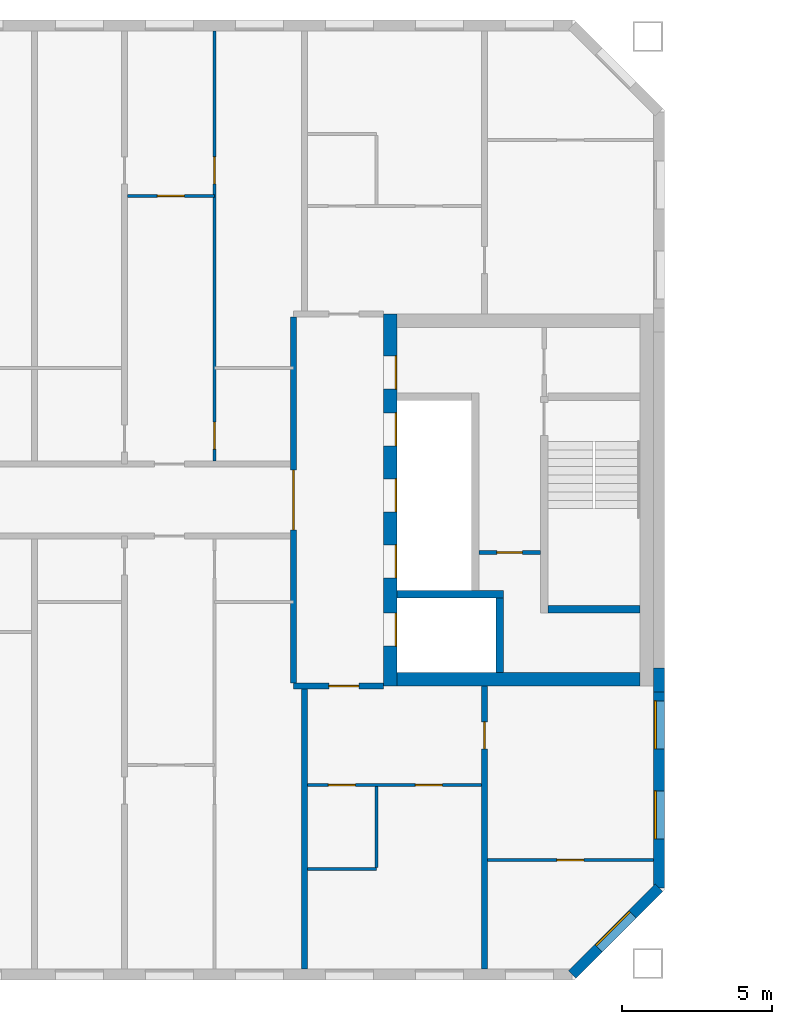
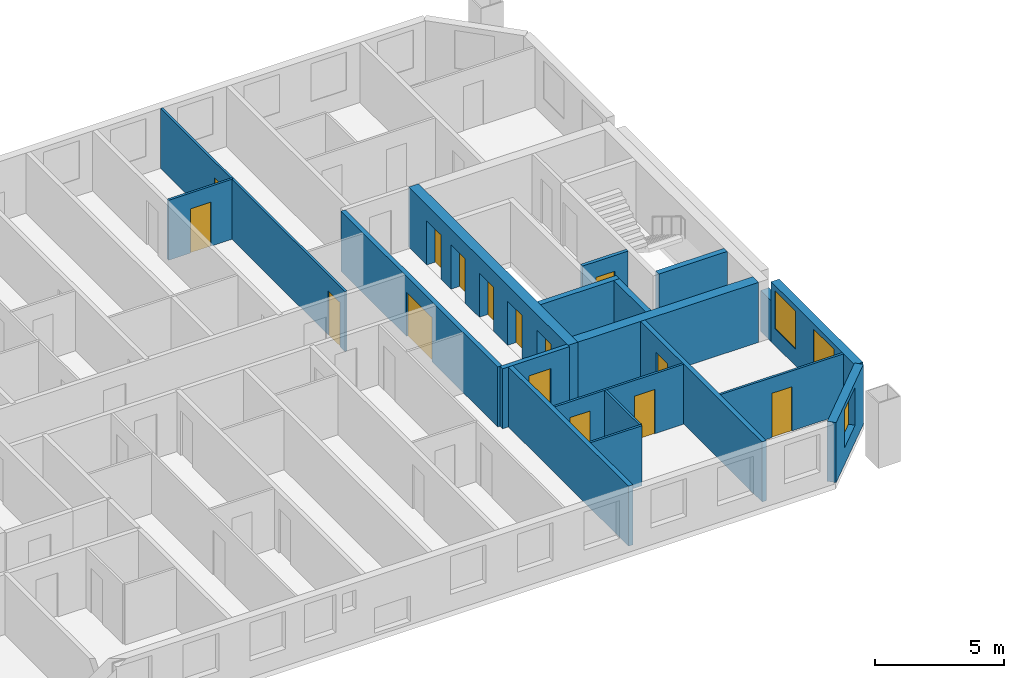
# One storey, part 6 of 15: 19 walls, 15 doors, 3 windows, 18 openings.
"""IFC4 building model written with IfcOpenShell, lengths in metres."""

from ifc_helpers import new_model, si_unit, direction, frame, frame_2d, origin, place, context, subcontext, project, spatial, rectangle, extrude, material, layer, layer_set, type_object, element, fill, save


model = new_model("IFC4")

# Units and contexts
model_context = context("Model", 3, precision=1e-05, world=origin(), true_north=direction((0.0, 1.0)))
body_context = subcontext(model_context, "Body", "Model", "MODEL_VIEW")
ifc_project = project(units=[si_unit("LENGTHUNIT", "METRE"), si_unit("AREAUNIT", "SQUARE_METRE"), si_unit("VOLUMEUNIT", "CUBIC_METRE"), si_unit("PLANEANGLEUNIT", "RADIAN"), si_unit("MASSUNIT", "GRAM", prefix="KILO")], contexts=[model_context])

# Site, building, storey
site_placement = place(None, origin())
site = spatial("IfcSite", under=ifc_project, at=site_placement, CompositionType="ELEMENT")
building_placement = place(site_placement, origin())
building = spatial("IfcBuilding", under=site, at=building_placement, Name="Tuart Gate Housing", CompositionType="ELEMENT")
storey_placement = place(building_placement, frame((0.0, 0.0, 191.300048828125)))
storey = spatial("IfcBuildingStorey", under=building, at=storey_placement, Name="L54", CompositionType="ELEMENT", Elevation=191.300048828125)

# Wall, opening, window
ifc_material_1 = material(Name="Brick", Category="masonry")
ifc_layer_1 = layer(ifc_material_1, 0.360107421875)
ifc_layer_set_1 = layer_set([ifc_layer_1], Name="Brick pier and spandrel wall 360")
wall_type_1 = type_object("IfcWallType", Name="Brick pier and spandrel wall 360", PredefinedType="STANDARD", material=ifc_layer_set_1)
wall_1_placement = place(storey_placement, frame((72.92529296875, 54.179931640625, 0.0), z_axis=(0.0, 0.0, 1.0), x_axis=(0.707106781187, 0.707106781187, 0.0)))
wall_1 = element("IfcWall", 1, at=wall_1_placement, inside=storey, type_object=wall_type_1, Name="External wall A-SE L54", PredefinedType="STANDARD", context=body_context, shape_type="SweptSolid", body=[
    extrude(rectangle(XDim=4.09375, YDim=0.360107421875, at=frame_2d((2.046875, 0.0))), origin(), (0.0, 0.0, 1.0), 2.849853515625),
])
opening_1_placement = place(wall_1_placement, frame((1.2470703125, 0.0, 0.800048828125)))
opening_1 = element("IfcOpeningElement", 2, at=opening_1_placement, cuts=wall_1, Name="Opening W1", PredefinedType="OPENING", context=body_context, shape_type="SweptSolid", body=[
    extrude(rectangle(XDim=1.60009765625, YDim=1.800048828125, at=frame_2d((0.800048828125, 0.89990234375))), frame((0.0, 0.18994140625, 0.0), z_axis=(0.0, -1.0, 0.0), x_axis=(1.0, 0.0, 0.0)), (0.0, 0.0, 1.0), 0.380126953125),
])
ifc_material_2 = material(Name="Aluminium frame with clear glass", Category="aluminium")
window_type = type_object("IfcWindowType", Name="Punched window 1600 x 1800", PartitioningType="SINGLE_PANEL", PredefinedType="WINDOW", material=ifc_material_2)
window_1_placement = place(opening_1_placement, origin())
window_1 = element("IfcWindow", 3, at=window_1_placement, inside=storey, type_object=window_type, Name="Window W1", OverallHeight=1.800048828125, OverallWidth=1.60009765625, PartitioningType="SINGLE_PANEL", PredefinedType="WINDOW", context=body_context, shape_type="SweptSolid", body=[
    extrude(rectangle(XDim=1.60009765625, YDim=1.800048828125, at=frame_2d((0.800048828125, 0.89990234375))), frame((0.0, 0.150146484375, 0.0), z_axis=(0.0, -1.0, 0.0), x_axis=(1.0, 0.0, 0.0)), (0.0, 0.0, 1.0), 0.06005859375),
])
fill(opening_1, window_1)

# Wall, openings, windows
wall_2_placement = place(storey_placement, frame((75.820068359375, 57.07470703125, 0.0), z_axis=(0.0, 0.0, 1.0), x_axis=(0.0, 1.0, 0.0)))
wall_2 = element("IfcWall", 4, at=wall_2_placement, inside=storey, type_object=wall_type_1, Name="External wall A-E L54", PredefinedType="STANDARD", context=body_context, shape_type="SweptSolid", body=[
    extrude(rectangle(XDim=6.522216796875, YDim=0.360107421875, at=frame_2d((3.26123046875, 0.0))), origin(), (0.0, 0.0, 1.0), 2.849853515625),
])
opening_2_placement = place(wall_2_placement, frame((1.62548828125, 0.0, 0.800048828125)))
opening_2 = element("IfcOpeningElement", 5, at=opening_2_placement, cuts=wall_2, Name="Opening W1", PredefinedType="OPENING", context=body_context, shape_type="SweptSolid", body=[
    extrude(rectangle(XDim=1.60009765625, YDim=1.800048828125, at=frame_2d((0.800048828125, 0.89990234375))), frame((0.0, 0.18994140625, 0.0), z_axis=(0.0, -1.0, 0.0), x_axis=(1.0, 0.0, 0.0)), (0.0, 0.0, 1.0), 0.380126953125),
])
opening_3_placement = place(wall_2_placement, frame((4.62548828125, 0.0, 0.800048828125)))
opening_3 = element("IfcOpeningElement", 6, at=opening_3_placement, cuts=wall_2, Name="Opening W1", PredefinedType="OPENING", context=body_context, shape_type="SweptSolid", body=[
    extrude(rectangle(XDim=1.60009765625, YDim=1.800048828125, at=frame_2d((0.800048828125, 0.89990234375))), frame((0.0, 0.18994140625, 0.0), z_axis=(0.0, -1.0, 0.0), x_axis=(1.0, 0.0, 0.0)), (0.0, 0.0, 1.0), 0.380126953125),
])
window_2_placement = place(opening_2_placement, origin())
window_2 = element("IfcWindow", 7, at=window_2_placement, inside=storey, type_object=window_type, Name="Window W1", OverallHeight=1.800048828125, OverallWidth=1.60009765625, PartitioningType="SINGLE_PANEL", PredefinedType="WINDOW", context=body_context, shape_type="SweptSolid", body=[
    extrude(rectangle(XDim=1.60009765625, YDim=1.800048828125, at=frame_2d((0.800048828125, 0.89990234375))), frame((0.0, 0.150146484375, 0.0), z_axis=(0.0, -1.0, 0.0), x_axis=(1.0, 0.0, 0.0)), (0.0, 0.0, 1.0), 0.06005859375),
])
fill(opening_2, window_2)
window_3_placement = place(opening_3_placement, origin())
window_3 = element("IfcWindow", 8, at=window_3_placement, inside=storey, type_object=window_type, Name="Window W1", OverallHeight=1.800048828125, OverallWidth=1.60009765625, PartitioningType="SINGLE_PANEL", PredefinedType="WINDOW", context=body_context, shape_type="SweptSolid", body=[
    extrude(rectangle(XDim=1.60009765625, YDim=1.800048828125, at=frame_2d((0.800048828125, 0.89990234375))), frame((0.0, 0.150146484375, 0.0), z_axis=(0.0, -1.0, 0.0), x_axis=(1.0, 0.0, 0.0)), (0.0, 0.0, 1.0), 0.06005859375),
])
fill(opening_3, window_3)

# Wall
wall_3_placement = place(storey_placement, frame((75.820068359375, 63.596923828125, 0.0), z_axis=(0.0, 0.0, 1.0), x_axis=(0.0, 1.0, 0.0)))
element("IfcWall", 9, at=wall_3_placement, inside=storey, type_object=wall_type_1, Name="External wall A-E L54", PredefinedType="STANDARD", context=body_context, shape_type="SweptSolid", body=[
    extrude(rectangle(XDim=0.80615234375, YDim=0.360107421875, at=frame_2d((0.403076171875, 0.0))), origin(), (0.0, 0.0, 1.0), 1.947021484375),
])

# Wall, opening, door
ifc_material_3 = material(Name="Plasterboard partition")
ifc_layer_2 = layer(ifc_material_3, 0.14990234375)
ifc_layer_set_2 = layer_set([ifc_layer_2], Name="Core partition 150")
wall_type_2 = type_object("IfcWallType", Name="Core partition 150", PredefinedType="PARTITIONING", material=ifc_layer_set_2)
wall_4_placement = place(storey_placement, frame((69.81494140625, 68.25, 0.0), z_axis=(0.0, 0.0, 1.0), x_axis=(1.0, 0.0, 0.0)))
wall_4 = element("IfcWall", 10, at=wall_4_placement, inside=storey, type_object=wall_type_2, Name="Core partition AG.3", PredefinedType="PARTITIONING", context=body_context, shape_type="SweptSolid", body=[
    extrude(rectangle(XDim=2.050048828125, YDim=0.14990234375, at=frame_2d((1.02490234375, 0.0))), origin(), (0.0, 0.0, 1.0), 2.849853515625),
])
opening_4_placement = place(wall_4_placement, frame((0.60009765625, 0.0, 0.0)))
opening_4 = element("IfcOpeningElement", 11, at=opening_4_placement, cuts=wall_4, Name="Opening D2641", PredefinedType="OPENING", context=body_context, shape_type="SweptSolid", body=[
    extrude(rectangle(XDim=0.85009765625, YDim=2.10009765625, at=frame_2d((0.425048828125, 1.050048828125))), frame((0.0, 0.0849609375, 0.0), z_axis=(0.0, -1.0, 0.0), x_axis=(1.0, 0.0, 0.0)), (0.0, 0.0, 1.0), 0.169921875),
])
ifc_material_4 = material(Name="Steel fire door", Category="steel")
door_type_1 = type_object("IfcDoorType", Name="Riser door 850 x 2100 RH", OperationType="SINGLE_SWING_RIGHT", PredefinedType="DOOR", material=ifc_material_4)
door_1_placement = place(opening_4_placement, frame((0.85009765625, 0.0, 0.0), z_axis=(0.0, 0.0, 1.0), x_axis=(-1.0, 0.0, 0.0)))
door_1 = element("IfcDoor", 12, at=door_1_placement, inside=storey, type_object=door_type_1, Name="Service room door AG.E1", OperationType="SINGLE_SWING_RIGHT", OverallHeight=2.10009765625, OverallWidth=0.85009765625, PredefinedType="DOOR", context=body_context, shape_type="SweptSolid", body=[
    extrude(rectangle(XDim=0.85009765625, YDim=2.10009765625, at=frame_2d((0.425048828125, 1.050048828125))), frame((0.0, 0.025146484375, 0.0), z_axis=(0.0, -1.0, 0.0), x_axis=(1.0, 0.0, 0.0)), (0.0, 0.0, 1.0), 0.050048828125),
])
fill(opening_4, door_1)

# Walls
ifc_material_5 = material(Name="Concrete C40", Category="concrete")
ifc_layer_3 = layer(ifc_material_5, 0.25)
ifc_layer_set_3 = layer_set([ifc_layer_3], Name="Core wall 250 C40")
wall_type_3 = type_object("IfcWallType", Name="Core wall 250 C40", PredefinedType="SHEAR", material=ifc_layer_set_3)
wall_5_placement = place(storey_placement, frame((72.114990234375, 66.35009765625, 0.0), z_axis=(0.0, 0.0, 1.0), x_axis=(1.0, 0.0, 0.0)))
element("IfcWall", 13, at=wall_5_placement, inside=storey, type_object=wall_type_3, Name="Core wall AG.1", PredefinedType="SHEAR", context=body_context, shape_type="SweptSolid", body=[
    extrude(rectangle(XDim=3.074951171875, YDim=0.25, at=frame_2d((1.53759765625, 0.0))), origin(), (0.0, 0.0, 1.0), 2.849853515625),
])
wall_6_placement = place(storey_placement, frame((67.090087890625, 66.85009765625, 0.0), z_axis=(0.0, 0.0, 1.0), x_axis=(1.0, 0.0, 0.0)))
element("IfcWall", 14, at=wall_6_placement, inside=storey, type_object=wall_type_3, Name="Core wall AG.2", PredefinedType="SHEAR", context=body_context, shape_type="SweptSolid", body=[
    extrude(rectangle(XDim=3.544921875, YDim=0.25, at=frame_2d((1.7724609375, 0.0))), origin(), (0.0, 0.0, 1.0), 2.849853515625),
])
wall_7_placement = place(storey_placement, frame((70.510009765625, 64.25, 0.0), z_axis=(0.0, 0.0, 1.0), x_axis=(0.0, 1.0, 0.0)))
element("IfcWall", 15, at=wall_7_placement, inside=storey, type_object=wall_type_3, Name="Core wall AG.7", PredefinedType="SHEAR", context=body_context, shape_type="SweptSolid", body=[
    extrude(rectangle(XDim=2.47509765625, YDim=0.25, at=frame_2d((1.237548828125, 0.0))), origin(), (0.0, 0.0, 1.0), 2.849853515625),
])

# Wall, openings, doors
ifc_material_6 = material(Name="Concrete C40", Category="concrete")
ifc_layer_4 = layer(ifc_material_6, 0.449951171875)
ifc_layer_set_4 = layer_set([ifc_layer_4], Name="Core wall 450 C40")
wall_type_4 = type_object("IfcWallType", Name="Core wall 450 C40", PredefinedType="SHEAR", material=ifc_layer_set_4)
wall_8_placement = place(storey_placement, frame((66.864990234375, 63.800048828125, 0.0), z_axis=(0.0, 0.0, 1.0), x_axis=(0.0, 1.0, 0.0)))
wall_8 = element("IfcWall", 16, at=wall_8_placement, inside=storey, type_object=wall_type_4, Name="Core wall AG front", PredefinedType="SHEAR", context=body_context, shape_type="SweptSolid", body=[
    extrude(rectangle(XDim=12.39990234375, YDim=0.449951171875, at=frame_2d((6.199951171875, 0.0))), origin(), (0.0, 0.0, 1.0), 2.849853515625),
])
opening_5_placement = place(wall_8_placement, frame((1.324951171875, 0.0, 0.0)))
opening_5 = element("IfcOpeningElement", 17, at=opening_5_placement, cuts=wall_8, Name="Opening LD-FA1", PredefinedType="OPENING", context=body_context, shape_type="SweptSolid", body=[
    extrude(rectangle(XDim=1.10009765625, YDim=2.10009765625, at=frame_2d((0.550048828125, 1.050048828125))), frame((0.0, 0.23486328125, 0.0), z_axis=(0.0, -1.0, 0.0), x_axis=(1.0, 0.0, 0.0)), (0.0, 0.0, 1.0), 0.469970703125),
])
opening_6_placement = place(wall_8_placement, frame((3.60009765625, 0.0, 0.0)))
opening_6 = element("IfcOpeningElement", 18, at=opening_6_placement, cuts=wall_8, Name="Opening LD-LA1", PredefinedType="OPENING", context=body_context, shape_type="SweptSolid", body=[
    extrude(rectangle(XDim=1.10009765625, YDim=2.10009765625, at=frame_2d((0.550048828125, 1.050048828125))), frame((0.0, 0.23486328125, 0.0), z_axis=(0.0, -1.0, 0.0), x_axis=(1.0, 0.0, 0.0)), (0.0, 0.0, 1.0), 0.469970703125),
])
opening_7_placement = place(wall_8_placement, frame((5.800048828125, 0.0, 0.0)))
opening_7 = element("IfcOpeningElement", 19, at=opening_7_placement, cuts=wall_8, Name="Opening LD-LA2", PredefinedType="OPENING", context=body_context, shape_type="SweptSolid", body=[
    extrude(rectangle(XDim=1.10009765625, YDim=2.10009765625, at=frame_2d((0.550048828125, 1.050048828125))), frame((0.0, 0.23486328125, 0.0), z_axis=(0.0, -1.0, 0.0), x_axis=(1.0, 0.0, 0.0)), (0.0, 0.0, 1.0), 0.469970703125),
])
opening_8_placement = place(wall_8_placement, frame((8.0, 0.0, 0.0)))
opening_8 = element("IfcOpeningElement", 20, at=opening_8_placement, cuts=wall_8, Name="Opening LD-LA3", PredefinedType="OPENING", context=body_context, shape_type="SweptSolid", body=[
    extrude(rectangle(XDim=1.10009765625, YDim=2.10009765625, at=frame_2d((0.550048828125, 1.050048828125))), frame((0.0, 0.23486328125, 0.0), z_axis=(0.0, -1.0, 0.0), x_axis=(1.0, 0.0, 0.0)), (0.0, 0.0, 1.0), 0.469970703125),
])
opening_9_placement = place(wall_8_placement, frame((9.89990234375, 0.0, 0.0)))
opening_9 = element("IfcOpeningElement", 21, at=opening_9_placement, cuts=wall_8, Name="Opening D2637", PredefinedType="OPENING", context=body_context, shape_type="SweptSolid", body=[
    extrude(rectangle(XDim=1.10009765625, YDim=2.10009765625, at=frame_2d((0.550048828125, 1.050048828125))), frame((0.0, 0.23486328125, 0.0), z_axis=(0.0, -1.0, 0.0), x_axis=(1.0, 0.0, 0.0)), (0.0, 0.0, 1.0), 0.469970703125),
])
ifc_material_7 = material(Name="Stainless steel", Category="steel")
door_type_2 = type_object("IfcDoorType", Name="Landing door 1100 x 2100", OperationType="DOUBLE_DOOR_SLIDING", PredefinedType="DOOR", material=ifc_material_7)
door_2_placement = place(opening_5_placement, origin())
door_2 = element("IfcDoor", 22, at=door_2_placement, inside=storey, type_object=door_type_2, Name="Lift landing door FA1", OperationType="DOUBLE_DOOR_SLIDING", OverallHeight=2.10009765625, OverallWidth=1.10009765625, PredefinedType="DOOR", context=body_context, shape_type="SweptSolid", body=[
    extrude(rectangle(XDim=1.10009765625, YDim=2.10009765625, at=frame_2d((0.550048828125, 1.050048828125))), frame((0.0, -0.16015625, 0.0), z_axis=(0.0, -1.0, 0.0), x_axis=(1.0, 0.0, 0.0)), (0.0, 0.0, 1.0), 0.050048828125),
])
fill(opening_5, door_2)
door_3_placement = place(opening_6_placement, origin())
door_3 = element("IfcDoor", 23, at=door_3_placement, inside=storey, type_object=door_type_2, Name="Lift landing door LA1", OperationType="DOUBLE_DOOR_SLIDING", OverallHeight=2.10009765625, OverallWidth=1.10009765625, PredefinedType="DOOR", context=body_context, shape_type="SweptSolid", body=[
    extrude(rectangle(XDim=1.10009765625, YDim=2.10009765625, at=frame_2d((0.550048828125, 1.050048828125))), frame((0.0, -0.16015625, 0.0), z_axis=(0.0, -1.0, 0.0), x_axis=(1.0, 0.0, 0.0)), (0.0, 0.0, 1.0), 0.050048828125),
])
fill(opening_6, door_3)
door_4_placement = place(opening_7_placement, origin())
door_4 = element("IfcDoor", 24, at=door_4_placement, inside=storey, type_object=door_type_2, Name="Lift landing door LA2", OperationType="DOUBLE_DOOR_SLIDING", OverallHeight=2.10009765625, OverallWidth=1.10009765625, PredefinedType="DOOR", context=body_context, shape_type="SweptSolid", body=[
    extrude(rectangle(XDim=1.10009765625, YDim=2.10009765625, at=frame_2d((0.550048828125, 1.050048828125))), frame((0.0, -0.16015625, 0.0), z_axis=(0.0, -1.0, 0.0), x_axis=(1.0, 0.0, 0.0)), (0.0, 0.0, 1.0), 0.050048828125),
])
fill(opening_7, door_4)
door_5_placement = place(opening_8_placement, origin())
door_5 = element("IfcDoor", 25, at=door_5_placement, inside=storey, type_object=door_type_2, Name="Lift landing door LA3", OperationType="DOUBLE_DOOR_SLIDING", OverallHeight=2.10009765625, OverallWidth=1.10009765625, PredefinedType="DOOR", context=body_context, shape_type="SweptSolid", body=[
    extrude(rectangle(XDim=1.10009765625, YDim=2.10009765625, at=frame_2d((0.550048828125, 1.050048828125))), frame((0.0, -0.16015625, 0.0), z_axis=(0.0, -1.0, 0.0), x_axis=(1.0, 0.0, 0.0)), (0.0, 0.0, 1.0), 0.050048828125),
])
fill(opening_8, door_5)
ifc_material_8 = material(Name="Steel fire door", Category="steel")
door_type_3 = type_object("IfcDoorType", Name="Lobby door 1100 x 2100 RH", OperationType="SINGLE_SWING_RIGHT", PredefinedType="DOOR", material=ifc_material_8)
door_6_placement = place(opening_9_placement, frame((1.10009765625, 0.0, 0.0), z_axis=(0.0, 0.0, 1.0), x_axis=(-1.0, 0.0, 0.0)))
door_6 = element("IfcDoor", 26, at=door_6_placement, inside=storey, type_object=door_type_3, Name="Lobby entry door AG.EN", OperationType="SINGLE_SWING_RIGHT", OverallHeight=2.10009765625, OverallWidth=1.10009765625, PredefinedType="DOOR", context=body_context, shape_type="SweptSolid", body=[
    extrude(rectangle(XDim=1.10009765625, YDim=2.10009765625, at=frame_2d((0.550048828125, 1.050048828125))), frame((0.0, 0.210205078125, 0.0), z_axis=(0.0, -1.0, 0.0), x_axis=(1.0, 0.0, 0.0)), (0.0, 0.0, 1.0), 0.050048828125),
])
fill(opening_9, door_6)

# Wall
wall_9_placement = place(storey_placement, frame((67.090087890625, 64.02490234375, 0.0), z_axis=(0.0, 0.0, 1.0), x_axis=(1.0, 0.0, 0.0)))
element("IfcWall", 27, at=wall_9_placement, inside=storey, type_object=wall_type_4, Name="Core wall AG south", PredefinedType="SHEAR", context=body_context, shape_type="SweptSolid", body=[
    extrude(rectangle(XDim=8.099853515625, YDim=0.449951171875, at=frame_2d((4.0498046875, 0.0))), origin(), (0.0, 0.0, 1.0), 2.849853515625),
])

# Wall, opening, door
ifc_material_9 = material(Name="Concrete masonry 15 MPa", Category="masonry")
ifc_layer_5 = layer(ifc_material_9, 0.199951171875)
ifc_layer_set_5 = layer_set([ifc_layer_5], Name="Enclosure wall masonry 200")
wall_type_5 = type_object("IfcWallType", Name="Enclosure wall masonry 200", PredefinedType="PARTITIONING", material=ifc_layer_set_5)
wall_10_placement = place(storey_placement, frame((63.639892578125, 63.800048828125, 0.0), z_axis=(0.0, 0.0, 1.0), x_axis=(1.0, 0.0, 0.0)))
wall_10 = element("IfcWall", 28, at=wall_10_placement, inside=storey, type_object=wall_type_5, Name="Enclosure wall masonry 200", PredefinedType="PARTITIONING", context=body_context, shape_type="SweptSolid", body=[
    extrude(rectangle(XDim=3.0, YDim=0.199951171875, at=frame_2d((1.5, 0.0))), origin(), (0.0, 0.0, 1.0), 2.849853515625),
])
opening_10_placement = place(wall_10_placement, frame((1.179931640625, 0.0, 0.0)))
opening_10 = element("IfcOpeningElement", 29, at=opening_10_placement, cuts=wall_10, Name="Opening D2644", PredefinedType="OPENING", context=body_context, shape_type="SweptSolid", body=[
    extrude(rectangle(XDim=1.0, YDim=2.10009765625, at=frame_2d((0.5, 1.050048828125))), frame((0.0, 0.10986328125, 0.0), z_axis=(0.0, -1.0, 0.0), x_axis=(1.0, 0.0, 0.0)), (0.0, 0.0, 1.0), 0.219970703125),
])
ifc_material_10 = material(Name="Timber door leaf in steel frame", Category="steel")
door_type_4 = type_object("IfcDoorType", Name="Flat entrance door 1000 RH", OperationType="SINGLE_SWING_RIGHT", PredefinedType="DOOR", material=ifc_material_10)
door_7_placement = place(opening_10_placement, frame((1.0, 0.0, 0.0), z_axis=(0.0, 0.0, 1.0), x_axis=(-1.0, 0.0, 0.0)))
door_7 = element("IfcDoor", 30, at=door_7_placement, inside=storey, type_object=door_type_4, Name="Flat entrance door", OperationType="SINGLE_SWING_RIGHT", OverallHeight=2.10009765625, OverallWidth=1.0, PredefinedType="DOOR", context=body_context, shape_type="SweptSolid", body=[
    extrude(rectangle(XDim=1.0, YDim=2.10009765625, at=frame_2d((0.5, 1.050048828125))), frame((0.0, 0.025146484375, 0.0), z_axis=(0.0, -1.0, 0.0), x_axis=(1.0, 0.0, 0.0)), (0.0, 0.0, 1.0), 0.050048828125),
])
fill(opening_10, door_7)

ifc_material_11 = material(Name="Plasterboard partition")
ifc_layer_6 = layer(ifc_material_11, 0.199951171875)
ifc_layer_set_6 = layer_set([ifc_layer_6], Name="Lobby wall 200")
wall_type_6 = type_object("IfcWallType", Name="Lobby wall 200", PredefinedType="PARTITIONING", material=ifc_layer_set_6)
wall_11_placement = place(storey_placement, frame((63.639892578125, 63.89990234375, 0.0), z_axis=(0.0, 0.0, 1.0), x_axis=(0.0, 1.0, 0.0)))
wall_11 = element("IfcWall", 31, at=wall_11_placement, inside=storey, type_object=wall_type_6, Name="Lift lobby wall AG", PredefinedType="PARTITIONING", context=body_context, shape_type="SweptSolid", body=[
    extrude(rectangle(XDim=12.2001953125, YDim=0.199951171875, at=frame_2d((6.10009765625, 0.0))), origin(), (0.0, 0.0, 1.0), 2.849853515625),
])
opening_11_placement = place(wall_11_placement, frame((5.10009765625, 0.0, 0.0)))
opening_11 = element("IfcOpeningElement", 32, at=opening_11_placement, cuts=wall_11, Name="Opening D2636", PredefinedType="OPENING", context=body_context, shape_type="SweptSolid", body=[
    extrude(rectangle(XDim=2.0, YDim=2.10009765625, at=frame_2d((1.0, 1.050048828125))), frame((0.0, 0.10986328125, 0.0), z_axis=(0.0, -1.0, 0.0), x_axis=(1.0, 0.0, 0.0)), (0.0, 0.0, 1.0), 0.219970703125),
])
ifc_material_12 = material(Name="Steel fire door", Category="steel")
door_type_5 = type_object("IfcDoorType", Name="Smoke door 2000 x 2100", OperationType="DOUBLE_DOOR_SINGLE_SWING", PredefinedType="DOOR", material=ifc_material_12)
door_8_placement = place(opening_11_placement, frame((2.0, 0.0, 0.0), z_axis=(0.0, 0.0, 1.0), x_axis=(-1.0, 0.0, 0.0)))
door_8 = element("IfcDoor", 33, at=door_8_placement, inside=storey, type_object=door_type_5, Name="Lift lobby smoke door AG", OperationType="DOUBLE_DOOR_SINGLE_SWING", OverallHeight=2.10009765625, OverallWidth=2.0, PredefinedType="DOOR", context=body_context, shape_type="SweptSolid", body=[
    extrude(rectangle(XDim=2.0, YDim=2.10009765625, at=frame_2d((1.0, 1.050048828125))), frame((0.0, 0.025146484375, 0.0), z_axis=(0.0, -1.0, 0.0), x_axis=(1.0, 0.0, 0.0)), (0.0, 0.0, 1.0), 0.050048828125),
])
fill(opening_11, door_8)

# Wall
ifc_material_13 = material(Name="Gypsum board on steel studs", Category="steel")
ifc_layer_7 = layer(ifc_material_13, 0.10009765625)
ifc_layer_set_7 = layer_set([ifc_layer_7], Name="Partition 100")
wall_type_7 = type_object("IfcWallType", Name="Partition 100", PredefinedType="PARTITIONING", material=ifc_layer_set_7)
wall_12_placement = place(storey_placement, frame((64.10009765625, 57.699951171875, 0.0), z_axis=(0.0, 0.0, 1.0), x_axis=(1.0, 0.0, 0.0)))
element("IfcWall", 34, at=wall_12_placement, inside=storey, type_object=wall_type_7, Name="Partition 100", PredefinedType="PARTITIONING", context=body_context, shape_type="SweptSolid", body=[
    extrude(rectangle(XDim=2.2998046875, YDim=0.10009765625, at=frame_2d((1.14990234375, 0.0))), origin(), (0.0, 0.0, 1.0), 2.849853515625),
])

# Wall, opening, door
wall_13_placement = place(storey_placement, frame((70.10009765625, 58.0, 0.0), z_axis=(0.0, 0.0, 1.0), x_axis=(1.0, 0.0, 0.0)))
wall_13 = element("IfcWall", 35, at=wall_13_placement, inside=storey, type_object=wall_type_7, Name="Partition 100", PredefinedType="PARTITIONING", context=body_context, shape_type="SweptSolid", body=[
    extrude(rectangle(XDim=5.539794921875, YDim=0.10009765625, at=frame_2d((2.77001953125, 0.0))), origin(), (0.0, 0.0, 1.0), 2.849853515625),
])
opening_12_placement = place(wall_13_placement, frame((2.320068359375, 0.0, 0.0)))
opening_12 = element("IfcOpeningElement", 36, at=opening_12_placement, cuts=wall_13, Name="Opening D2661", PredefinedType="OPENING", context=body_context, shape_type="SweptSolid", body=[
    extrude(rectangle(XDim=0.89990234375, YDim=2.10009765625, at=frame_2d((0.449951171875, 1.050048828125))), frame((0.0, 0.06005859375, 0.0), z_axis=(0.0, -1.0, 0.0), x_axis=(1.0, 0.0, 0.0)), (0.0, 0.0, 1.0), 0.1201171875),
])
ifc_material_14 = material(Name="Timber door leaf in steel frame", Category="steel")
door_type_6 = type_object("IfcDoorType", Name="Internal door 900", OperationType="SINGLE_SWING_LEFT", PredefinedType="DOOR", material=ifc_material_14)
door_9_placement = place(opening_12_placement, frame((0.89990234375, 0.0, 0.0), z_axis=(0.0, 0.0, 1.0), x_axis=(-1.0, 0.0, 0.0)))
door_9 = element("IfcDoor", 37, at=door_9_placement, inside=storey, type_object=door_type_6, Name="Internal door", OperationType="SINGLE_SWING_LEFT", OverallHeight=2.10009765625, OverallWidth=0.89990234375, PredefinedType="DOOR", context=body_context, shape_type="SweptSolid", body=[
    extrude(rectangle(XDim=0.89990234375, YDim=2.10009765625, at=frame_2d((0.449951171875, 1.050048828125))), frame((0.0, 0.025146484375, 0.0), z_axis=(0.0, -1.0, 0.0), x_axis=(1.0, 0.0, 0.0)), (0.0, 0.0, 1.0), 0.050048828125),
])
fill(opening_12, door_9)

# Wall, openings, doors
wall_14_placement = place(storey_placement, frame((64.10009765625, 60.5, 0.0), z_axis=(0.0, 0.0, 1.0), x_axis=(1.0, 0.0, 0.0)))
wall_14 = element("IfcWall", 38, at=wall_14_placement, inside=storey, type_object=wall_type_7, Name="Partition 100", PredefinedType="PARTITIONING", context=body_context, shape_type="SweptSolid", body=[
    extrude(rectangle(XDim=5.7998046875, YDim=0.10009765625, at=frame_2d((2.89990234375, 0.0))), origin(), (0.0, 0.0, 1.0), 2.849853515625),
])
opening_13_placement = place(wall_14_placement, frame((3.60009765625, 0.0, 0.0)))
opening_13 = element("IfcOpeningElement", 39, at=opening_13_placement, cuts=wall_14, Name="Opening D2658", PredefinedType="OPENING", context=body_context, shape_type="SweptSolid", body=[
    extrude(rectangle(XDim=0.89990234375, YDim=2.10009765625, at=frame_2d((0.449951171875, 1.050048828125))), frame((0.0, 0.06005859375, 0.0), z_axis=(0.0, -1.0, 0.0), x_axis=(1.0, 0.0, 0.0)), (0.0, 0.0, 1.0), 0.1201171875),
])
opening_14_placement = place(wall_14_placement, frame((0.699951171875, 0.0, 0.0)))
opening_14 = element("IfcOpeningElement", 40, at=opening_14_placement, cuts=wall_14, Name="Opening D2657", PredefinedType="OPENING", context=body_context, shape_type="SweptSolid", body=[
    extrude(rectangle(XDim=0.89990234375, YDim=2.10009765625, at=frame_2d((0.449951171875, 1.050048828125))), frame((0.0, 0.06005859375, 0.0), z_axis=(0.0, -1.0, 0.0), x_axis=(1.0, 0.0, 0.0)), (0.0, 0.0, 1.0), 0.1201171875),
])
ifc_material_15 = material(Name="Timber door leaf in steel frame", Category="steel")
door_type_7 = type_object("IfcDoorType", Name="Bathroom door 900", OperationType="SINGLE_SWING_LEFT", PredefinedType="DOOR", material=ifc_material_15)
door_10_placement = place(opening_14_placement, frame((0.89990234375, 0.0, 0.0), z_axis=(0.0, 0.0, 1.0), x_axis=(-1.0, 0.0, 0.0)))
door_10 = element("IfcDoor", 41, at=door_10_placement, inside=storey, type_object=door_type_7, Name="Bathroom door", OperationType="SINGLE_SWING_LEFT", OverallHeight=2.10009765625, OverallWidth=0.89990234375, PredefinedType="DOOR", context=body_context, shape_type="SweptSolid", body=[
    extrude(rectangle(XDim=0.89990234375, YDim=2.10009765625, at=frame_2d((0.449951171875, 1.050048828125))), frame((0.0, 0.025146484375, 0.0), z_axis=(0.0, -1.0, 0.0), x_axis=(1.0, 0.0, 0.0)), (0.0, 0.0, 1.0), 0.050048828125),
])
fill(opening_14, door_10)
ifc_material_16 = material(Name="Timber door leaf in steel frame", Category="steel")
door_type_8 = type_object("IfcDoorType", Name="Internal door 900 RH", OperationType="SINGLE_SWING_RIGHT", PredefinedType="DOOR", material=ifc_material_16)
door_11_placement = place(opening_13_placement, frame((0.89990234375, 0.0, 0.0), z_axis=(0.0, 0.0, 1.0), x_axis=(-1.0, 0.0, 0.0)))
door_11 = element("IfcDoor", 42, at=door_11_placement, inside=storey, type_object=door_type_8, Name="Internal door", OperationType="SINGLE_SWING_RIGHT", OverallHeight=2.10009765625, OverallWidth=0.89990234375, PredefinedType="DOOR", context=body_context, shape_type="SweptSolid", body=[
    extrude(rectangle(XDim=0.89990234375, YDim=2.10009765625, at=frame_2d((0.449951171875, 1.050048828125))), frame((0.0, 0.025146484375, 0.0), z_axis=(0.0, -1.0, 0.0), x_axis=(1.0, 0.0, 0.0)), (0.0, 0.0, 1.0), 0.050048828125),
])
fill(opening_13, door_11)

# Wall, opening, door
wall_15_placement = place(storey_placement, frame((58.10009765625, 80.139892578125, 0.0), z_axis=(0.0, 0.0, 1.0), x_axis=(1.0, 0.0, 0.0)))
wall_15 = element("IfcWall", 43, at=wall_15_placement, inside=storey, type_object=wall_type_7, Name="Partition 100", PredefinedType="PARTITIONING", context=body_context, shape_type="SweptSolid", body=[
    extrude(rectangle(XDim=2.89990234375, YDim=0.10009765625, at=frame_2d((1.449951171875, 0.0))), origin(), (0.0, 0.0, 1.0), 2.849853515625),
])
opening_15_placement = place(wall_15_placement, frame((1.0, 0.0, 0.0)))
opening_15 = element("IfcOpeningElement", 44, at=opening_15_placement, cuts=wall_15, Name="Opening D2612", PredefinedType="OPENING", context=body_context, shape_type="SweptSolid", body=[
    extrude(rectangle(XDim=0.89990234375, YDim=2.10009765625, at=frame_2d((0.449951171875, 1.050048828125))), frame((0.0, 0.06005859375, 0.0), z_axis=(0.0, -1.0, 0.0), x_axis=(1.0, 0.0, 0.0)), (0.0, 0.0, 1.0), 0.1201171875),
])
door_12_placement = place(opening_15_placement, frame((0.89990234375, 0.0, 0.0), z_axis=(0.0, 0.0, 1.0), x_axis=(-1.0, 0.0, 0.0)))
door_12 = element("IfcDoor", 45, at=door_12_placement, inside=storey, type_object=door_type_6, Name="Internal door", OperationType="SINGLE_SWING_LEFT", OverallHeight=2.10009765625, OverallWidth=0.89990234375, PredefinedType="DOOR", context=body_context, shape_type="SweptSolid", body=[
    extrude(rectangle(XDim=0.89990234375, YDim=2.10009765625, at=frame_2d((0.449951171875, 1.050048828125))), frame((0.0, 0.025146484375, 0.0), z_axis=(0.0, -1.0, 0.0), x_axis=(1.0, 0.0, 0.0)), (0.0, 0.0, 1.0), 0.050048828125),
])
fill(opening_15, door_12)

# Wall, openings, doors
wall_16_placement = place(storey_placement, frame((61.0, 71.300048828125, 0.0), z_axis=(0.0, 0.0, 1.0), x_axis=(0.0, 1.0, 0.0)))
wall_16 = element("IfcWall", 46, at=wall_16_placement, inside=storey, type_object=wall_type_7, Name="Partition 100", PredefinedType="PARTITIONING", context=body_context, shape_type="SweptSolid", body=[
    extrude(rectangle(XDim=14.33984375, YDim=0.10009765625, at=frame_2d((7.169921875, 0.0))), origin(), (0.0, 0.0, 1.0), 2.849853515625),
])
opening_16_placement = place(wall_16_placement, frame((9.239990234375, 0.0, 0.0)))
opening_16 = element("IfcOpeningElement", 47, at=opening_16_placement, cuts=wall_16, Name="Opening D2620", PredefinedType="OPENING", context=body_context, shape_type="SweptSolid", body=[
    extrude(rectangle(XDim=0.89990234375, YDim=2.10009765625, at=frame_2d((0.449951171875, 1.050048828125))), frame((0.0, 0.06005859375, 0.0), z_axis=(0.0, -1.0, 0.0), x_axis=(1.0, 0.0, 0.0)), (0.0, 0.0, 1.0), 0.1201171875),
])
opening_17_placement = place(wall_16_placement, frame((0.39990234375, 0.0, 0.0)))
opening_17 = element("IfcOpeningElement", 48, at=opening_17_placement, cuts=wall_16, Name="Opening D2619", PredefinedType="OPENING", context=body_context, shape_type="SweptSolid", body=[
    extrude(rectangle(XDim=0.89990234375, YDim=2.10009765625, at=frame_2d((0.449951171875, 1.050048828125))), frame((0.0, 0.06005859375, 0.0), z_axis=(0.0, -1.0, 0.0), x_axis=(1.0, 0.0, 0.0)), (0.0, 0.0, 1.0), 0.1201171875),
])
ifc_material_17 = material(Name="Timber door leaf in steel frame", Category="steel")
door_type_9 = type_object("IfcDoorType", Name="Bathroom door 900 RH", OperationType="SINGLE_SWING_RIGHT", PredefinedType="DOOR", material=ifc_material_17)
door_13_placement = place(opening_17_placement, frame((0.89990234375, 0.0, 0.0), z_axis=(0.0, 0.0, 1.0), x_axis=(-1.0, 0.0, 0.0)))
door_13 = element("IfcDoor", 49, at=door_13_placement, inside=storey, type_object=door_type_9, Name="Bathroom door", OperationType="SINGLE_SWING_RIGHT", OverallHeight=2.10009765625, OverallWidth=0.89990234375, PredefinedType="DOOR", context=body_context, shape_type="SweptSolid", body=[
    extrude(rectangle(XDim=0.89990234375, YDim=2.10009765625, at=frame_2d((0.449951171875, 1.050048828125))), frame((0.0, 0.025146484375, 0.0), z_axis=(0.0, -1.0, 0.0), x_axis=(1.0, 0.0, 0.0)), (0.0, 0.0, 1.0), 0.050048828125),
])
fill(opening_17, door_13)
door_14_placement = place(opening_16_placement, frame((0.89990234375, 0.0, 0.0), z_axis=(0.0, 0.0, 1.0), x_axis=(-1.0, 0.0, 0.0)))
door_14 = element("IfcDoor", 50, at=door_14_placement, inside=storey, type_object=door_type_6, Name="Internal door", OperationType="SINGLE_SWING_LEFT", OverallHeight=2.10009765625, OverallWidth=0.89990234375, PredefinedType="DOOR", context=body_context, shape_type="SweptSolid", body=[
    extrude(rectangle(XDim=0.89990234375, YDim=2.10009765625, at=frame_2d((0.449951171875, 1.050048828125))), frame((0.0, 0.025146484375, 0.0), z_axis=(0.0, -1.0, 0.0), x_axis=(1.0, 0.0, 0.0)), (0.0, 0.0, 1.0), 0.050048828125),
])
fill(opening_16, door_14)

# Walls
wall_17_placement = place(storey_placement, frame((66.39990234375, 57.75, 0.0), z_axis=(0.0, 0.0, 1.0), x_axis=(0.0, 1.0, 0.0)))
element("IfcWall", 51, at=wall_17_placement, inside=storey, type_object=wall_type_7, Name="Partition 100", PredefinedType="PARTITIONING", context=body_context, shape_type="SweptSolid", body=[
    extrude(rectangle(XDim=2.699951171875, YDim=0.10009765625, at=frame_2d((1.35009765625, 0.0))), origin(), (0.0, 0.0, 1.0), 2.849853515625),
])
ifc_material_18 = material(Name="Concrete C40", Category="concrete")
ifc_layer_8 = layer(ifc_material_18, 0.199951171875)
ifc_layer_set_8 = layer_set([ifc_layer_8], Name="Party wall concrete C40 200")
wall_type_8 = type_object("IfcWallType", Name="Party wall concrete C40 200", PredefinedType="SOLIDWALL", material=ifc_layer_set_8)
wall_18_placement = place(storey_placement, frame((64.0, 54.360107421875, 0.0), z_axis=(0.0, 0.0, 1.0), x_axis=(0.0, 1.0, 0.0)))
element("IfcWall", 52, at=wall_18_placement, inside=storey, type_object=wall_type_8, Name="Party wall concrete C40 200", PredefinedType="SOLIDWALL", context=body_context, shape_type="SweptSolid", body=[
    extrude(rectangle(XDim=9.43994140625, YDim=0.199951171875, at=frame_2d((4.719970703125, 0.0))), origin(), (0.0, 0.0, 1.0), 2.849853515625),
])

# Wall, opening, door
wall_19_placement = place(storey_placement, frame((70.0, 54.360107421875, 0.0), z_axis=(0.0, 0.0, 1.0), x_axis=(0.0, 1.0, 0.0)))
wall_19 = element("IfcWall", 53, at=wall_19_placement, inside=storey, type_object=wall_type_8, Name="Party wall concrete C40 200", PredefinedType="SOLIDWALL", context=body_context, shape_type="SweptSolid", body=[
    extrude(rectangle(XDim=9.43994140625, YDim=0.199951171875, at=frame_2d((4.719970703125, 0.0))), origin(), (0.0, 0.0, 1.0), 2.849853515625),
])
opening_18_placement = place(wall_19_placement, frame((7.340087890625, 0.0, 0.0)))
opening_18 = element("IfcOpeningElement", 54, at=opening_18_placement, cuts=wall_19, Name="Opening D2660", PredefinedType="OPENING", context=body_context, shape_type="SweptSolid", body=[
    extrude(rectangle(XDim=0.89990234375, YDim=2.10009765625, at=frame_2d((0.449951171875, 1.050048828125))), frame((0.0, 0.10986328125, 0.0), z_axis=(0.0, -1.0, 0.0), x_axis=(1.0, 0.0, 0.0)), (0.0, 0.0, 1.0), 0.219970703125),
])
door_15_placement = place(opening_18_placement, origin())
door_15 = element("IfcDoor", 55, at=door_15_placement, inside=storey, type_object=door_type_6, Name="Internal door", OperationType="SINGLE_SWING_LEFT", OverallHeight=2.10009765625, OverallWidth=0.89990234375, PredefinedType="DOOR", context=body_context, shape_type="SweptSolid", body=[
    extrude(rectangle(XDim=0.89990234375, YDim=2.10009765625, at=frame_2d((0.449951171875, 1.050048828125))), frame((0.0, 0.02490234375, 0.0), z_axis=(0.0, -1.0, 0.0), x_axis=(1.0, 0.0, 0.0)), (0.0, 0.0, 1.0), 0.050048828125),
])
fill(opening_18, door_15)

save(model, "model.ifc")
